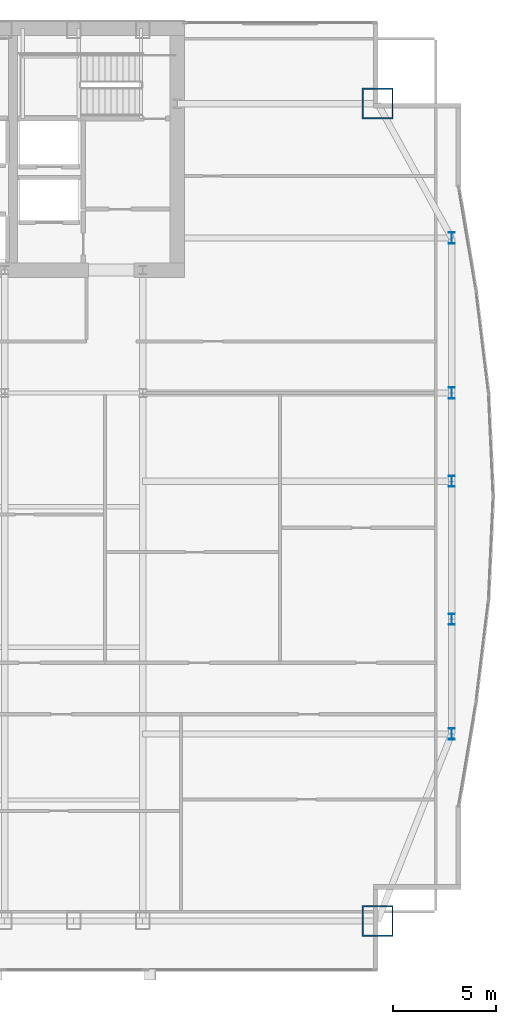
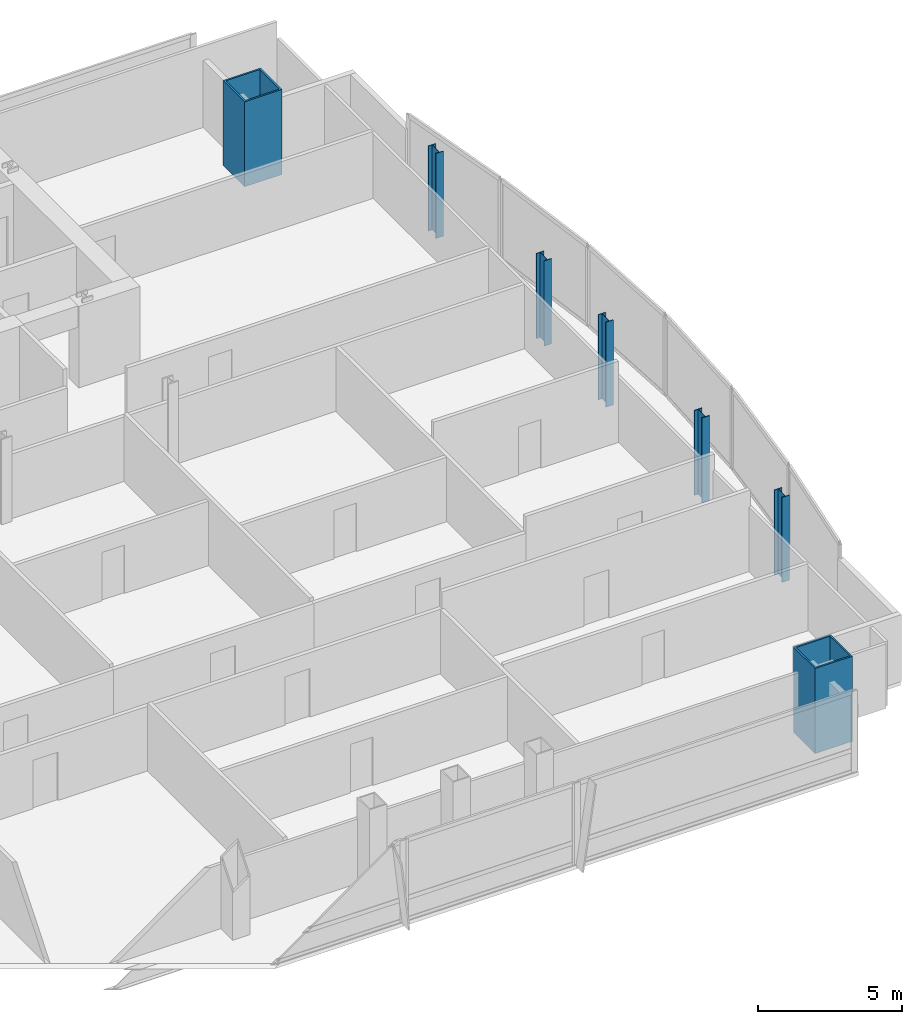
# One storey, part 4 of 31: 7 columns.
"""IFC4 building model written with IfcOpenShell, lengths in metres."""

import ifcopenshell
import ifcopenshell.guid

model = None  # the IFC model being written
_history = None  # IfcOwnerHistory: only IFC2X3 demands one
_inside = {}  # id of a spatial element -> (the spatial element, [elements in it])
_under = {}  # id of a project, library or spatial element -> (it, [spatial elements below it])
_declared = {}  # id of a project -> (the project, [libraries it declares])
_typed = {}  # id of a type object -> (the type object, [elements of that type])
_made_of = {}  # id of a material, layer set ... -> (it, [elements and type objects made of it])


def new_model(schema):
    """Start an empty IFC model of exactly this schema.

    Asked for "IFC4X3", IfcOpenShell would pick the latest addendum, in which some entities
    have other attributes; the version numbers below select the first issue.
    IFC2X3 requires an IfcOwnerHistory on every rooted entity: one is made here for all.
    """
    global model, _history
    if schema == "IFC4X3":
        model = ifcopenshell.file(schema_version=(4, 3, 0, 0))
    else:
        model = ifcopenshell.file(schema=schema)
    _inside.clear()
    _under.clear()
    _declared.clear()
    _typed.clear()
    _made_of.clear()
    _history = None
    if model.schema == "IFC2X3":
        org = make("IfcOrganization", Name="unknown")
        user = make(
            "IfcPersonAndOrganization",
            ThePerson=make("IfcPerson", FamilyName="unknown"),
            TheOrganization=org,
        )
        app = make(
            "IfcApplication",
            ApplicationDeveloper=org,
            Version="unknown",
            ApplicationFullName="unknown",
            ApplicationIdentifier="unknown",
        )
        _history = make(
            "IfcOwnerHistory",
            OwningUser=user,
            OwningApplication=app,
            ChangeAction="ADDED",
            CreationDate=0,
        )
    return model


def make(cls, **values):
    """One entity of the class cls with the attributes given. An attribute that is None is left unset."""
    return model.create_entity(
        cls, **{name: value for name, value in values.items() if value is not None}
    )


def rooted(cls, **values):
    """An entity with a GlobalId (a new one), such as an element, a storey or a relation."""
    return make(cls, GlobalId=ifcopenshell.guid.new(), OwnerHistory=_history, **values)


def si_unit(unit_type, name, prefix=None):
    """IfcSIUnit, for example si_unit("LENGTHUNIT", "METRE", prefix="MILLI")."""
    return make("IfcSIUnit", UnitType=unit_type, Prefix=prefix, Name=name)


def assignment(units):
    """IfcUnitAssignment: the units of a project."""
    return None if units is None else make("IfcUnitAssignment", Units=units)


def point(xyz):
    """IfcCartesianPoint."""
    return None if xyz is None else make("IfcCartesianPoint", Coordinates=xyz)


def direction(xyz):
    """IfcDirection."""
    return None if xyz is None else make("IfcDirection", DirectionRatios=xyz)


def frame(location, z_axis=None, x_axis=None):
    """IfcAxis2Placement3D, a coordinate frame: its origin and axes. An axis left out is left unset."""
    return make(
        "IfcAxis2Placement3D",
        Location=point(location),
        Axis=direction(z_axis),
        RefDirection=direction(x_axis),
    )


def frame_2d(location, x_axis=None):
    """IfcAxis2Placement2D, a coordinate frame in the plane: its origin and x axis."""
    return make(
        "IfcAxis2Placement2D", Location=point(location), RefDirection=direction(x_axis)
    )


def origin():
    """The frame at (0, 0, 0) with its axes left unset."""
    return frame((0.0, 0.0, 0.0))


def origin_2d():
    """The frame at (0, 0) in the plane with its x axis left unset."""
    return frame_2d((0.0, 0.0))


def place(relative_to, where):
    """IfcLocalPlacement: puts the frame where relative to a parent placement (None: the world)."""
    return make(
        "IfcLocalPlacement", PlacementRelTo=relative_to, RelativePlacement=where
    )


def context(
    kind, dimensions, precision=None, world=None, true_north=None, identifier=None
):
    """IfcGeometricRepresentationContext, for example the 3D "Model" context."""
    return make(
        "IfcGeometricRepresentationContext",
        ContextIdentifier=identifier,
        ContextType=kind,
        CoordinateSpaceDimension=dimensions,
        Precision=precision,
        WorldCoordinateSystem=world,
        TrueNorth=true_north,
    )


def subcontext(parent, identifier, kind, view, scale=None):
    """IfcGeometricRepresentationSubContext, for example "Body" below "Model"."""
    return make(
        "IfcGeometricRepresentationSubContext",
        ContextIdentifier=identifier,
        ContextType=kind,
        ParentContext=parent,
        TargetScale=scale,
        TargetView=view,
    )


def project(units=None, contexts=None):
    """IfcProject with its units and contexts."""
    return rooted(
        "IfcProject",
        Name="project",
        RepresentationContexts=contexts,
        UnitsInContext=assignment(units),
    )


def spatial(cls, under=None, at=None, **own):
    """A site, building, storey or space (cls), placed at a placement, below another one or the project."""
    s = rooted(cls, ObjectPlacement=at, **own)
    if under is not None:
        _under.setdefault(under.id(), (under, []))[1].append(s)
    return s


def profile(cls, at=None, kind="AREA", **sizes):
    """A parametric profile (cls). Its sizes go by their IFC names, for example OverallWidth=200.0."""
    return make(cls, ProfileType=kind, Position=at, **sizes)


def hollow_rectangle(**sizes):
    """IfcRectangleHollowProfileDef."""
    return profile("IfcRectangleHollowProfileDef", **sizes)


def i_section(**sizes):
    """IfcIShapeProfileDef."""
    return profile("IfcIShapeProfileDef", **sizes)


def extrude(swept, where, along, depth):
    """IfcExtrudedAreaSolid: the profile swept, set in the frame where, extruded along a direction by depth."""
    return make(
        "IfcExtrudedAreaSolid",
        SweptArea=swept,
        Position=where,
        ExtrudedDirection=direction(along),
        Depth=depth,
    )


def shape(context_of_items, identifier, shape_type, items):
    """IfcShapeRepresentation: the items that make up one representation, for example the "Body"."""
    return make(
        "IfcShapeRepresentation",
        ContextOfItems=context_of_items,
        RepresentationIdentifier=identifier,
        RepresentationType=shape_type,
        Items=items,
    )


def material(Name=None, Category=None):
    """IfcMaterial."""
    return make("IfcMaterial", Name=Name, Category=Category)


def material_profile(
    of_material, cross_section, Name=None, Category=None, Priority=None
):
    """IfcMaterialProfile: a cross section and its material."""
    return make(
        "IfcMaterialProfile",
        Name=Name,
        Material=of_material,
        Profile=cross_section,
        Priority=Priority,
        Category=Category,
    )


def profile_set(profiles, Name=None, composite=None):
    """IfcMaterialProfileSet."""
    return make(
        "IfcMaterialProfileSet",
        Name=Name,
        MaterialProfiles=profiles,
        CompositeProfile=composite,
    )


def made_of(thing, what):
    """Note that an element or type object is made of a material, layer set ...; save() writes the relation."""
    if what is not None:
        _made_of.setdefault(what.id(), (what, []))[1].append(thing)
    return thing


def type_object(cls, material=None, **own):
    """A type object (cls), such as IfcWallType, which elements share."""
    return made_of(rooted(cls, **own), material)


def element(
    cls,
    number,
    at=None,
    inside=None,
    cuts=None,
    type_object=None,
    material=None,
    context=None,
    identifier="Body",
    shape_type=None,
    held_by="IfcProductDefinitionShape",
    body=None,
    shapes=None,
    **own,
):
    """One element of the class cls, such as IfcWall. Its Tag is "e" and its number.

    at: its placement. inside: the storey or other place that contains it. cuts: it is an
    opening in that element (IfcRelVoidsElement). A single representation is given by context,
    identifier, shape_type and body (its items); several are given by shapes. held_by: the class
    of the entity that holds the representations. save() writes the other relations.
    """
    e = rooted(cls, Tag="e%d" % number, ObjectPlacement=at, **own)
    if body is not None:
        shapes = [shape(context, identifier, shape_type, body)]
    if shapes is not None:
        e.Representation = make(held_by, Representations=shapes)
    if inside is not None:
        _inside.setdefault(inside.id(), (inside, []))[1].append(e)
    if cuts is not None:
        rooted(
            "IfcRelVoidsElement", RelatingBuildingElement=cuts, RelatedOpeningElement=e
        )
    if type_object is not None:
        _typed.setdefault(type_object.id(), (type_object, []))[1].append(e)
    return made_of(e, material)


def aggregate(whole, parts):
    """IfcRelAggregates: a whole, such as a stair, and the parts it consists of."""
    return rooted("IfcRelAggregates", RelatingObject=whole, RelatedObjects=parts)


def save(model, path):
    """Write the relations noted so far, then the file.

    IfcRelAggregates (storeys below a building ...), IfcRelContainedInSpatialStructure (elements
    in a storey), IfcRelDefinesByType, IfcRelAssociatesMaterial and IfcRelDeclares: one each for
    every whole, place, type object, material and project.
    """
    for whole, parts in _under.values():
        aggregate(whole, parts)
    for where, things in _inside.values():
        rooted(
            "IfcRelContainedInSpatialStructure",
            RelatedElements=things,
            RelatingStructure=where,
        )
    for kind, things in _typed.values():
        rooted("IfcRelDefinesByType", RelatedObjects=things, RelatingType=kind)
    for what, things in _made_of.values():
        rooted("IfcRelAssociatesMaterial", RelatedObjects=things, RelatingMaterial=what)
    for by, libraries in _declared.values():
        rooted("IfcRelDeclares", RelatingContext=by, RelatedDefinitions=libraries)
    model.write(path)


model = new_model("IFC4")

# Units and contexts
model_context = context("Model", 3, precision=1e-05, world=origin(), true_north=direction((0.0, 1.0)))
body_context = subcontext(model_context, "Body", "Model", "MODEL_VIEW")
ifc_project = project(units=[si_unit("LENGTHUNIT", "METRE"), si_unit("AREAUNIT", "SQUARE_METRE"), si_unit("VOLUMEUNIT", "CUBIC_METRE"), si_unit("PLANEANGLEUNIT", "RADIAN"), si_unit("MASSUNIT", "GRAM", prefix="KILO")], contexts=[model_context])

# Site, building, storey
site_placement = place(None, origin())
site = spatial("IfcSite", under=ifc_project, at=site_placement, CompositionType="ELEMENT")
building_placement = place(site_placement, origin())
building = spatial("IfcBuilding", under=site, at=building_placement, Name="Khoronbel Lancet Exchange", CompositionType="ELEMENT")
storey_placement = place(building_placement, frame((0.0, 0.0, 121.800048828125)))
storey = spatial("IfcBuildingStorey", under=building, at=storey_placement, Name="L29", CompositionType="ELEMENT", Elevation=121.800048828125)

# Columns
ifc_material_1 = material(Name="Steel S355", Category="steel")
ifc_material_profile_1 = material_profile(ifc_material_1, i_section(OverallWidth=0.300048828125, OverallDepth=0.550048828125, WebThickness=0.014892578125, FlangeThickness=0.029052734375, at=origin_2d()), Name="HEB 550")
ifc_profile_set_1 = profile_set([ifc_material_profile_1], Name="Steel S355")
column_type_1 = type_object("IfcColumnType", Name="COL-LC1", PredefinedType="COLUMN", material=ifc_profile_set_1)
for number, where, z_axis, x_axis, name in (
    (1, (69.6298828125, 19.199951171875, 0.0), (0.0, 0.0, 1.0), (1.0, 0.0, 0.0), "Structural column EC-1 L29"),
    (2, (69.6298828125, 24.75, 0.0), (0.0, 0.0, 1.0), (1.0, 0.0, 0.0), "Structural column EC-2 L29"),
    (3, (69.6298828125, 31.425048828125, 0.0), (0.0, 0.0, 1.0), (1.0, 0.0, 0.0), "Structural column EC-M L29"),
    (4, (69.6298828125, 35.699951171875, 0.0), (0.0, 0.0, 1.0), (1.0, 0.0, 0.0), "Structural column EC-3 L29"),
    (5, (69.6298828125, 43.199951171875, 0.0), (0.0, 0.0, 1.0), (1.0, 0.0, 0.0), "Structural column EC-4 L29"),
):
    element("IfcColumn", number, at=place(storey_placement, frame(where, z_axis=z_axis, x_axis=x_axis)), inside=storey, type_object=column_type_1, Name=name, PredefinedType="COLUMN", context=body_context, shape_type="SweptSolid", body=[
        extrude(i_section(OverallWidth=0.300048828125, OverallDepth=0.550048828125, WebThickness=0.014892578125, FlangeThickness=0.029052734375, at=origin_2d()), origin(), (0.0, 0.0, 1.0), 3.599853515625),
    ])
ifc_material_2 = material(Name="Steel S460", Category="steel")
ifc_material_profile_2 = material_profile(ifc_material_2, hollow_rectangle(XDim=1.5, YDim=1.5, WallThickness=0.070068359375, at=origin_2d()), Name="BOX 1500x1500x70")
ifc_profile_set_2 = profile_set([ifc_material_profile_2], Name="Steel S460")
column_type_2 = type_object("IfcColumnType", Name="COL-MC3", PredefinedType="COLUMN", material=ifc_profile_set_2)
for number, where, z_axis, x_axis, name in (
    (6, (66.050048828125, 10.14990234375, 0.0), (0.0, 0.0, 1.0), (1.0, 0.0, 0.0), "Structural column MC-SE L29"),
    (7, (66.050048828125, 49.699951171875, 0.0), (0.0, 0.0, 1.0), (1.0, 0.0, 0.0), "Structural column MC-NE L29"),
):
    element("IfcColumn", number, at=place(storey_placement, frame(where, z_axis=z_axis, x_axis=x_axis)), inside=storey, type_object=column_type_2, Name=name, PredefinedType="COLUMN", context=body_context, shape_type="SweptSolid", body=[
        extrude(hollow_rectangle(XDim=1.5, YDim=1.5, WallThickness=0.070068359375, at=origin_2d()), origin(), (0.0, 0.0, 1.0), 3.599853515625),
    ])

save(model, "model.ifc")
